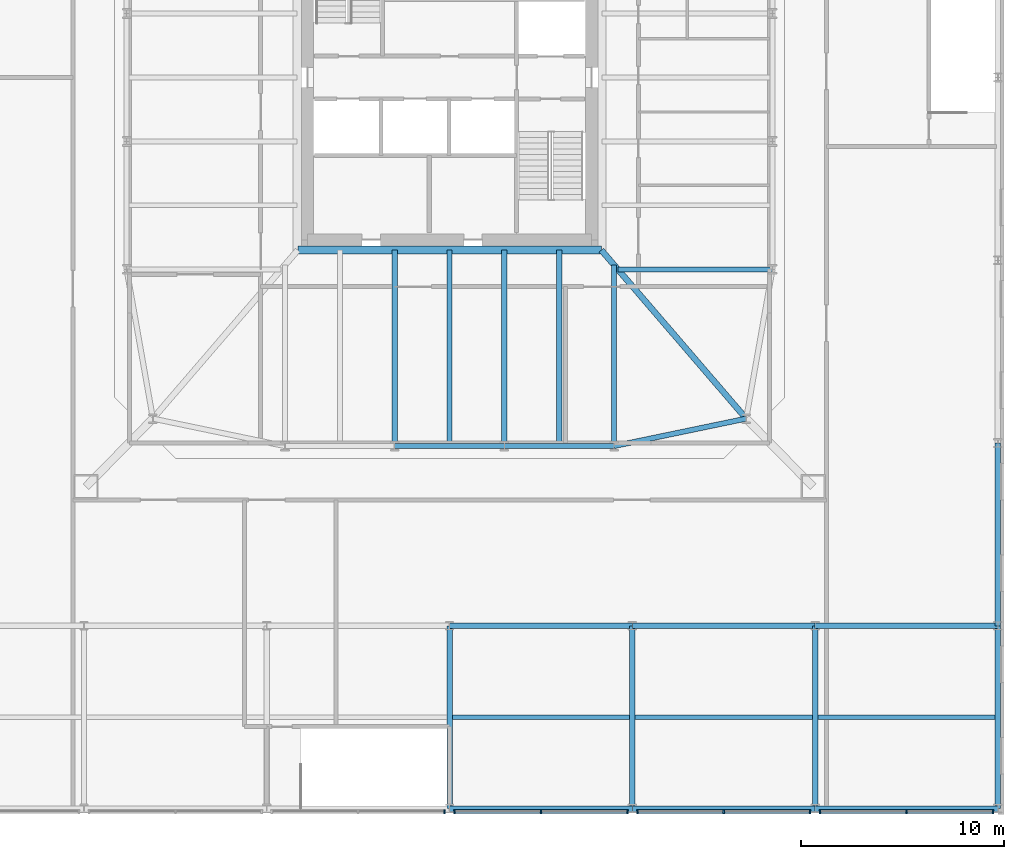
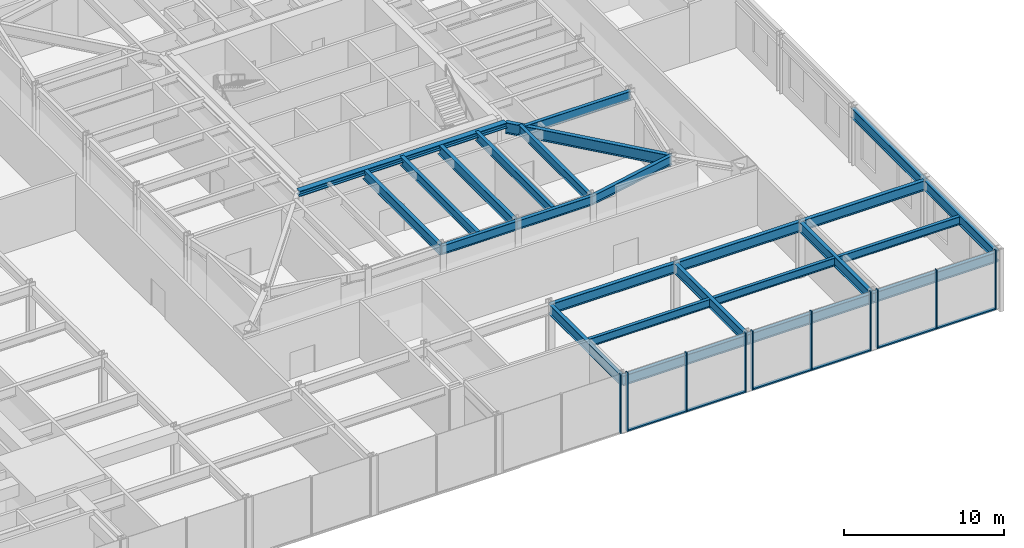
# One storey, part 12 of 30: 25 beams, 16 members, 4 elements without a shape of their own.
"""IFC4 building model written with IfcOpenShell, lengths in metres."""

from ifc_helpers import new_model, si_unit, direction, frame, origin, origin_2d, place, context, subcontext, project, spatial, rectangle, i_section, extrude, material, material_profile, profile_set, type_object, element, aggregate, save


model = new_model("IFC4")

# Units and contexts
model_context = context("Model", 3, precision=1e-05, world=origin(), true_north=direction((0.0, 1.0)))
body_context = subcontext(model_context, "Body", "Model", "MODEL_VIEW")
ifc_project = project(units=[si_unit("LENGTHUNIT", "METRE"), si_unit("AREAUNIT", "SQUARE_METRE"), si_unit("VOLUMEUNIT", "CUBIC_METRE"), si_unit("PLANEANGLEUNIT", "RADIAN"), si_unit("MASSUNIT", "GRAM", prefix="KILO")], contexts=[model_context])

# Site, building, storey
site_placement = place(None, origin())
site = spatial("IfcSite", under=ifc_project, at=site_placement, CompositionType="ELEMENT")
building_placement = place(site_placement, origin())
building = spatial("IfcBuilding", under=site, at=building_placement, Name="Iwan Alto Co-Living Towers", CompositionType="ELEMENT")
storey_placement = place(building_placement, frame((0.0, 0.0, 10.5)))
storey = spatial("IfcBuildingStorey", under=building, at=storey_placement, Name="L02", CompositionType="ELEMENT", Elevation=10.5)

# Curtain wall, member
ifc_material_1 = material(Name="Bronze aluminium stick frame", Category="aluminium")
curtain_wall_type = type_object("IfcCurtainWallType", Name="CURTAIN WALL CW-E", PredefinedType="NOTDEFINED", material=ifc_material_1)
curtain_wall_1_placement = place(storey_placement, origin())
curtain_wall_1 = element("IfcCurtainWall", 1, at=curtain_wall_1_placement, inside=storey, type_object=curtain_wall_type, Name="Podium curtain wall S L02", PredefinedType="NOTDEFINED")
ifc_material_2 = material(Name="Aluminium 6063-T6 bronze anodised", Category="aluminium")
ifc_material_profile_1 = material_profile(ifc_material_2, rectangle(XDim=0.199951171875, YDim=0.080078125, at=origin_2d()), Name="AL 80X200")
ifc_profile_set_1 = profile_set([ifc_material_profile_1], Name="Aluminium 6063-T6 bronze anodised")
member_type_1 = type_object("IfcMemberType", Name="CW-E MULLION 80X200", PredefinedType="MULLION", material=ifc_profile_set_1)
member_1_placement = place(storey_placement, frame((62.754150390625, -36.14990234375, 0.0), z_axis=(0.0, 0.0, 1.0), x_axis=(0.0, 1.0, 0.0)))
member_1 = element("IfcMember", 2, at=member_1_placement, type_object=member_type_1, Name="CW-E mullion 3", PredefinedType="MULLION", context=body_context, shape_type="SweptSolid", body=[
    extrude(rectangle(XDim=0.199951171875, YDim=0.080078125, at=origin_2d()), origin(), (0.0, 0.0, 1.0), 4.5),
])
aggregate(curtain_wall_1, [member_1])

# Curtain wall, members
curtain_wall_2_placement = place(storey_placement, origin())
curtain_wall_2 = element("IfcCurtainWall", 3, at=curtain_wall_2_placement, inside=storey, type_object=curtain_wall_type, Name="Podium curtain wall S L02", PredefinedType="NOTDEFINED")
member_2_placement = place(storey_placement, frame((63.245849609375, -36.14990234375, 0.0), z_axis=(0.0, 0.0, 1.0), x_axis=(0.0, 1.0, 0.0)))
member_2 = element("IfcMember", 4, at=member_2_placement, type_object=member_type_1, Name="CW-E mullion 1", PredefinedType="MULLION", context=body_context, shape_type="SweptSolid", body=[
    extrude(rectangle(XDim=0.199951171875, YDim=0.080078125, at=origin_2d()), origin(), (0.0, 0.0, 1.0), 4.5),
])
member_3_placement = place(storey_placement, frame((67.5, -36.14990234375, 0.0), z_axis=(0.0, 0.0, 1.0), x_axis=(0.0, 1.0, 0.0)))
member_3 = element("IfcMember", 5, at=member_3_placement, type_object=member_type_1, Name="CW-E mullion 2", PredefinedType="MULLION", context=body_context, shape_type="SweptSolid", body=[
    extrude(rectangle(XDim=0.199951171875, YDim=0.080078125, at=origin_2d()), origin(), (0.0, 0.0, 1.0), 4.5),
])
member_4_placement = place(storey_placement, frame((71.754150390625, -36.14990234375, 0.0), z_axis=(0.0, 0.0, 1.0), x_axis=(0.0, 1.0, 0.0)))
member_4 = element("IfcMember", 6, at=member_4_placement, type_object=member_type_1, Name="CW-E mullion 3", PredefinedType="MULLION", context=body_context, shape_type="SweptSolid", body=[
    extrude(rectangle(XDim=0.199951171875, YDim=0.080078125, at=origin_2d()), origin(), (0.0, 0.0, 1.0), 4.5),
])

curtain_wall_3_placement = place(storey_placement, origin())
curtain_wall_3 = element("IfcCurtainWall", 7, at=curtain_wall_3_placement, inside=storey, type_object=curtain_wall_type, Name="Podium curtain wall S L02", PredefinedType="NOTDEFINED")
member_5_placement = place(storey_placement, frame((72.245849609375, -36.14990234375, 0.0), z_axis=(0.0, 0.0, 1.0), x_axis=(0.0, 1.0, 0.0)))
member_5 = element("IfcMember", 8, at=member_5_placement, type_object=member_type_1, Name="CW-E mullion 1", PredefinedType="MULLION", context=body_context, shape_type="SweptSolid", body=[
    extrude(rectangle(XDim=0.199951171875, YDim=0.080078125, at=origin_2d()), origin(), (0.0, 0.0, 1.0), 4.5),
])
member_6_placement = place(storey_placement, frame((76.5, -36.14990234375, 0.0), z_axis=(0.0, 0.0, 1.0), x_axis=(0.0, 1.0, 0.0)))
member_6 = element("IfcMember", 9, at=member_6_placement, type_object=member_type_1, Name="CW-E mullion 2", PredefinedType="MULLION", context=body_context, shape_type="SweptSolid", body=[
    extrude(rectangle(XDim=0.199951171875, YDim=0.080078125, at=origin_2d()), origin(), (0.0, 0.0, 1.0), 4.5),
])
member_7_placement = place(storey_placement, frame((80.754150390625, -36.14990234375, 0.0), z_axis=(0.0, 0.0, 1.0), x_axis=(0.0, 1.0, 0.0)))
member_7 = element("IfcMember", 10, at=member_7_placement, type_object=member_type_1, Name="CW-E mullion 3", PredefinedType="MULLION", context=body_context, shape_type="SweptSolid", body=[
    extrude(rectangle(XDim=0.199951171875, YDim=0.080078125, at=origin_2d()), origin(), (0.0, 0.0, 1.0), 4.5),
])

curtain_wall_4_placement = place(storey_placement, origin())
curtain_wall_4 = element("IfcCurtainWall", 11, at=curtain_wall_4_placement, inside=storey, type_object=curtain_wall_type, Name="Podium curtain wall S L02", PredefinedType="NOTDEFINED")
member_8_placement = place(storey_placement, frame((81.245849609375, -36.14990234375, 0.0), z_axis=(0.0, 0.0, 1.0), x_axis=(0.0, 1.0, 0.0)))
member_8 = element("IfcMember", 12, at=member_8_placement, type_object=member_type_1, Name="CW-E mullion 1", PredefinedType="MULLION", context=body_context, shape_type="SweptSolid", body=[
    extrude(rectangle(XDim=0.199951171875, YDim=0.080078125, at=origin_2d()), origin(), (0.0, 0.0, 1.0), 4.5),
])
member_9_placement = place(storey_placement, frame((85.5, -36.14990234375, 0.0), z_axis=(0.0, 0.0, 1.0), x_axis=(0.0, 1.0, 0.0)))
member_9 = element("IfcMember", 13, at=member_9_placement, type_object=member_type_1, Name="CW-E mullion 2", PredefinedType="MULLION", context=body_context, shape_type="SweptSolid", body=[
    extrude(rectangle(XDim=0.199951171875, YDim=0.080078125, at=origin_2d()), origin(), (0.0, 0.0, 1.0), 4.5),
])
member_10_placement = place(storey_placement, frame((89.754150390625, -36.14990234375, 0.0), z_axis=(0.0, 0.0, 1.0), x_axis=(0.0, 1.0, 0.0)))
member_10 = element("IfcMember", 14, at=member_10_placement, type_object=member_type_1, Name="CW-E mullion 3", PredefinedType="MULLION", context=body_context, shape_type="SweptSolid", body=[
    extrude(rectangle(XDim=0.199951171875, YDim=0.080078125, at=origin_2d()), origin(), (0.0, 0.0, 1.0), 4.5),
])

# Member
ifc_material_3 = material(Name="Aluminium 6063-T6 bronze anodised", Category="aluminium")
ifc_material_profile_2 = material_profile(ifc_material_3, rectangle(XDim=0.199951171875, YDim=0.10009765625, at=origin_2d()), Name="AL 200X100")
ifc_profile_set_2 = profile_set([ifc_material_profile_2], Name="Aluminium 6063-T6 bronze anodised")
member_type_2 = type_object("IfcMemberType", Name="CW-E TRANSOM 200X100", PredefinedType="USERDEFINED", material=ifc_profile_set_2)
member_11_placement = place(storey_placement, frame((63.28564453125, -36.14990234375, 0.050048828125), z_axis=(1.0, 0.0, 0.0), x_axis=(0.0, 1.0, 0.0)))
member_11 = element("IfcMember", 15, at=member_11_placement, type_object=member_type_2, Name="CW-E transom 1.1", ObjectType="TRANSOM", PredefinedType="USERDEFINED", context=body_context, shape_type="SweptSolid", body=[
    extrude(rectangle(XDim=0.199951171875, YDim=0.10009765625, at=origin_2d()), origin(), (0.0, 0.0, 1.0), 4.17431640625),
])

member_12_placement = place(storey_placement, frame((67.5400390625, -36.14990234375, 0.050048828125), z_axis=(1.0, 0.0, 0.0), x_axis=(0.0, 1.0, 0.0)))
member_12 = element("IfcMember", 16, at=member_12_placement, type_object=member_type_2, Name="CW-E transom 2.1", ObjectType="TRANSOM", PredefinedType="USERDEFINED", context=body_context, shape_type="SweptSolid", body=[
    extrude(rectangle(XDim=0.199951171875, YDim=0.10009765625, at=origin_2d()), origin(), (0.0, 0.0, 1.0), 4.17431640625),
])

aggregate(curtain_wall_2, [member_2, member_3, member_4, member_11, member_12])

member_13_placement = place(storey_placement, frame((72.28564453125, -36.14990234375, 0.050048828125), z_axis=(1.0, 0.0, 0.0), x_axis=(0.0, 1.0, 0.0)))
member_13 = element("IfcMember", 17, at=member_13_placement, type_object=member_type_2, Name="CW-E transom 1.1", ObjectType="TRANSOM", PredefinedType="USERDEFINED", context=body_context, shape_type="SweptSolid", body=[
    extrude(rectangle(XDim=0.199951171875, YDim=0.10009765625, at=origin_2d()), origin(), (0.0, 0.0, 1.0), 4.17431640625),
])

member_14_placement = place(storey_placement, frame((76.5400390625, -36.14990234375, 0.050048828125), z_axis=(1.0, 0.0, 0.0), x_axis=(0.0, 1.0, 0.0)))
member_14 = element("IfcMember", 18, at=member_14_placement, type_object=member_type_2, Name="CW-E transom 2.1", ObjectType="TRANSOM", PredefinedType="USERDEFINED", context=body_context, shape_type="SweptSolid", body=[
    extrude(rectangle(XDim=0.199951171875, YDim=0.10009765625, at=origin_2d()), origin(), (0.0, 0.0, 1.0), 4.17431640625),
])

aggregate(curtain_wall_3, [member_5, member_6, member_7, member_13, member_14])

member_15_placement = place(storey_placement, frame((81.28564453125, -36.14990234375, 0.050048828125), z_axis=(1.0, 0.0, 0.0), x_axis=(0.0, 1.0, 0.0)))
member_15 = element("IfcMember", 19, at=member_15_placement, type_object=member_type_2, Name="CW-E transom 1.1", ObjectType="TRANSOM", PredefinedType="USERDEFINED", context=body_context, shape_type="SweptSolid", body=[
    extrude(rectangle(XDim=0.199951171875, YDim=0.10009765625, at=origin_2d()), origin(), (0.0, 0.0, 1.0), 4.17431640625),
])

member_16_placement = place(storey_placement, frame((85.5400390625, -36.14990234375, 0.050048828125), z_axis=(1.0, 0.0, 0.0), x_axis=(0.0, 1.0, 0.0)))
member_16 = element("IfcMember", 20, at=member_16_placement, type_object=member_type_2, Name="CW-E transom 2.1", ObjectType="TRANSOM", PredefinedType="USERDEFINED", context=body_context, shape_type="SweptSolid", body=[
    extrude(rectangle(XDim=0.199951171875, YDim=0.10009765625, at=origin_2d()), origin(), (0.0, 0.0, 1.0), 4.17431640625),
])

aggregate(curtain_wall_4, [member_8, member_9, member_10, member_15, member_16])

# Beams
ifc_material_4 = material(Name="Steel ASTM A992 Gr 50", Category="steel")
ifc_material_profile_3 = material_profile(ifc_material_4, i_section(OverallWidth=0.2666015625, OverallDepth=0.76953125, WebThickness=0.015625, FlangeThickness=0.025390625, at=origin_2d()), Name="W30X132")
ifc_profile_set_3 = profile_set([ifc_material_profile_3], Name="Steel ASTM A992 Gr 50")
beam_type_1 = type_object("IfcBeamType", Name="PODIUM BEAM W30X132", PredefinedType="BEAM", material=ifc_profile_set_3)
for number, where, z_axis, x_axis, name in (
    (21, (63.0, -36.0, 3.865234375), (1.0, 0.0, 0.0), (0.0, 1.0, 0.0), "Podium beam 12/A-13/A L03"),
    (22, (63.0, -36.0, 3.865234375), (0.0, 1.0, 0.0), (-1.0, 0.0, 0.0), "Podium beam 12/A-12/B L03"),
    (23, (63.0, -27.0, 3.865234375), (1.0, 0.0, 0.0), (0.0, 1.0, 0.0), "Podium beam 12/B-13/B L03"),
    (24, (72.0, -36.0, 3.865234375), (1.0, 0.0, 0.0), (0.0, 1.0, 0.0), "Podium beam 13/A-14/A L03"),
    (25, (72.0, -36.0, 3.865234375), (0.0, 1.0, 0.0), (-1.0, 0.0, 0.0), "Podium beam 13/A-13/B L03"),
    (26, (72.0, -27.0, 3.865234375), (1.0, 0.0, 0.0), (0.0, 1.0, 0.0), "Podium beam 13/B-14/B L03"),
    (27, (81.0, -36.0, 3.865234375), (1.0, 0.0, 0.0), (0.0, 1.0, 0.0), "Podium beam 14/A-15/A L03"),
    (28, (81.0, -36.0, 3.865234375), (0.0, 1.0, 0.0), (-1.0, 0.0, 0.0), "Podium beam 14/A-14/B L03"),
    (29, (81.0, -27.0, 3.865234375), (1.0, 0.0, 0.0), (0.0, 1.0, 0.0), "Podium beam 14/B-15/B L03"),
    (30, (90.0, -36.0, 3.865234375), (0.0, 1.0, 0.0), (-1.0, 0.0, 0.0), "Podium beam 15/A-15/B L03"),
    (31, (90.0, -27.0, 3.865234375), (0.0, 1.0, 0.0), (-1.0, 0.0, 0.0), "Podium beam 15/B-15/C L03"),
):
    element("IfcBeam", number, at=place(storey_placement, frame(where, z_axis=z_axis, x_axis=x_axis)), inside=storey, type_object=beam_type_1, Name=name, PredefinedType="BEAM", context=body_context, shape_type="SweptSolid", body=[
        extrude(i_section(OverallWidth=0.2666015625, OverallDepth=0.76953125, WebThickness=0.015625, FlangeThickness=0.025390625, at=origin_2d()), origin(), (0.0, 0.0, 1.0), 9.0),
    ])
ifc_material_5 = material(Name="Steel ASTM A992 Gr 50", Category="steel")
ifc_material_profile_4 = material_profile(ifc_material_5, i_section(OverallWidth=0.23046875, OverallDepth=0.6171875, WebThickness=0.01318359375, FlangeThickness=0.022216796875, at=origin_2d()), Name="W24X94")
ifc_profile_set_4 = profile_set([ifc_material_profile_4], Name="Steel ASTM A992 Gr 50")
beam_type_2 = type_object("IfcBeamType", Name="PODIUM SECONDARY BEAM W24X94", PredefinedType="JOIST", material=ifc_profile_set_4)
for number, where, z_axis, x_axis, name in (
    (32, (63.13330078125, -31.5, 3.94140625), (1.0, 0.0, 0.0), (0.0, 1.0, 0.0), "Podium secondary beam 12/A L03"),
    (33, (72.13330078125, -31.5, 3.94140625), (1.0, 0.0, 0.0), (0.0, 1.0, 0.0), "Podium secondary beam 13/A L03"),
    (34, (81.13330078125, -31.5, 3.94140625), (1.0, 0.0, 0.0), (0.0, 1.0, 0.0), "Podium secondary beam 14/A L03"),
):
    element("IfcBeam", number, at=place(storey_placement, frame(where, z_axis=z_axis, x_axis=x_axis)), inside=storey, type_object=beam_type_2, Name=name, PredefinedType="JOIST", context=body_context, shape_type="SweptSolid", body=[
        extrude(i_section(OverallWidth=0.23046875, OverallDepth=0.6171875, WebThickness=0.01318359375, FlangeThickness=0.022216796875, at=origin_2d()), origin(), (0.0, 0.0, 1.0), 8.7333984375),
    ])
ifc_material_6 = material(Name="Steel ASTM A992 Gr 50", Category="steel")
ifc_material_profile_5 = material_profile(ifc_material_6, i_section(OverallWidth=0.40380859375, OverallDepth=0.406494140625, WebThickness=0.027099609375, FlangeThickness=0.043701171875, at=origin_2d()), Name="W14X233")
ifc_profile_set_5 = profile_set([ifc_material_profile_5], Name="Steel ASTM A992 Gr 50")
beam_type_3 = type_object("IfcBeamType", Name="T2 CORE LEDGER BEAM W14X233", PredefinedType="BEAM", material=ifc_profile_set_5)
beam_1_placement = place(storey_placement, frame((55.5263671875, -8.501953125, 4.06689453125), z_axis=(1.0, 0.0, 0.0), x_axis=(0.0, 1.0, 0.0)))
element("IfcBeam", 35, at=beam_1_placement, inside=storey, type_object=beam_type_3, Name="T2 core ledger beam S L03", PredefinedType="BEAM", context=body_context, shape_type="SweptSolid", body=[
    extrude(i_section(OverallWidth=0.40380859375, OverallDepth=0.406494140625, WebThickness=0.027099609375, FlangeThickness=0.043701171875, at=origin_2d()), origin(), (0.0, 0.0, 1.0), 14.947265625),
])
ifc_material_7 = material(Name="Steel ASTM A992 Gr 50", Category="steel")
ifc_material_profile_6 = material_profile(ifc_material_7, i_section(OverallWidth=0.2919921875, OverallDepth=0.8408203125, WebThickness=0.0146484375, FlangeThickness=0.021728515625, at=origin_2d()), Name="W33X130")
ifc_profile_set_6 = profile_set([ifc_material_profile_6], Name="Steel ASTM A992 Gr 50")
beam_type_4 = type_object("IfcBeamType", Name="T2 CORNER GIRDER W33X130", PredefinedType="BEAM", material=ifc_profile_set_6)
beam_2_placement = place(storey_placement, frame((77.606201171875, -16.797119140625, 3.849609375), z_axis=(-0.651972301827, 0.758242782788, 0.0), x_axis=(-0.758242782788, -0.651972301827, 0.0)))
element("IfcBeam", 36, at=beam_2_placement, inside=storey, type_object=beam_type_4, Name="T2 corner girder CSE L03", PredefinedType="BEAM", context=body_context, shape_type="SweptSolid", body=[
    extrude(i_section(OverallWidth=0.2919921875, OverallDepth=0.8408203125, WebThickness=0.0146484375, FlangeThickness=0.021728515625, at=origin_2d()), origin(), (0.0, 0.0, 1.0), 10.93994140625),
])
ifc_material_8 = material(Name="Steel ASTM A992 Gr 50", Category="steel")
ifc_material_profile_7 = material_profile(ifc_material_8, i_section(OverallWidth=0.25390625, OverallDepth=0.683349609375, WebThickness=0.012451171875, FlangeThickness=0.018798828125, at=origin_2d()), Name="W27X94")
ifc_profile_set_7 = profile_set([ifc_material_profile_7], Name="Steel ASTM A992 Gr 50")
beam_type_5 = type_object("IfcBeamType", Name="T2 EDGE BEAM W27X94", PredefinedType="BEAM", material=ifc_profile_set_7)
beam_3_placement = place(storey_placement, frame((60.300048828125, -18.14990234375, 3.928466796875), z_axis=(1.0, 0.0, 0.0), x_axis=(0.0, 1.0, 0.0)))
element("IfcBeam", 37, at=beam_3_placement, inside=storey, type_object=beam_type_5, Name="T2 edge beam S2 L03", PredefinedType="BEAM", context=body_context, shape_type="SweptSolid", body=[
    extrude(i_section(OverallWidth=0.25390625, OverallDepth=0.683349609375, WebThickness=0.012451171875, FlangeThickness=0.018798828125, at=origin_2d()), origin(), (0.0, 0.0, 1.0), 5.39990234375),
])
beam_4_placement = place(storey_placement, frame((65.699951171875, -18.14990234375, 3.928466796875), z_axis=(1.0, 0.0, 0.0), x_axis=(0.0, 1.0, 0.0)))
element("IfcBeam", 38, at=beam_4_placement, inside=storey, type_object=beam_type_5, Name="T2 edge beam S3 L03", PredefinedType="BEAM", context=body_context, shape_type="SweptSolid", body=[
    extrude(i_section(OverallWidth=0.25390625, OverallDepth=0.683349609375, WebThickness=0.012451171875, FlangeThickness=0.018798828125, at=origin_2d()), origin(), (0.0, 0.0, 1.0), 5.400146484375),
])
beam_5_placement = place(storey_placement, frame((71.10009765625, -18.14990234375, 3.928466796875), z_axis=(0.979060119423, 0.203571320564, 0.0), x_axis=(-0.203571320564, 0.979060119423, 0.0)))
element("IfcBeam", 39, at=beam_5_placement, inside=storey, type_object=beam_type_5, Name="T2 edge beam S4 L03", PredefinedType="BEAM", context=body_context, shape_type="SweptSolid", body=[
    extrude(i_section(OverallWidth=0.25390625, OverallDepth=0.683349609375, WebThickness=0.012451171875, FlangeThickness=0.018798828125, at=origin_2d()), origin(), (0.0, 0.0, 1.0), 6.645263671875),
])
ifc_material_9 = material(Name="Steel ASTM A992 Gr 50", Category="steel")
ifc_material_profile_8 = material_profile(ifc_material_9, i_section(OverallWidth=0.25390625, OverallDepth=0.683349609375, WebThickness=0.012451171875, FlangeThickness=0.018798828125, at=origin_2d()), Name="W27X94")
ifc_profile_set_8 = profile_set([ifc_material_profile_8], Name="Steel ASTM A992 Gr 50")
beam_type_6 = type_object("IfcBeamType", Name="T2 RADIAL BEAM W27X94", PredefinedType="BEAM", material=ifc_profile_set_8)
beam_6_placement = place(storey_placement, frame((71.10009765625, -18.14990234375, 3.928466796875), z_axis=(0.0, 1.0, 0.0), x_axis=(-1.0, 0.0, 0.0)))
element("IfcBeam", 40, at=beam_6_placement, inside=storey, type_object=beam_type_6, Name="T2 radial beam S4 L03", PredefinedType="BEAM", context=body_context, shape_type="SweptSolid", body=[
    extrude(i_section(OverallWidth=0.25390625, OverallDepth=0.683349609375, WebThickness=0.012451171875, FlangeThickness=0.018798828125, at=origin_2d()), origin(), (0.0, 0.0, 1.0), 8.91943359375),
])
beam_7_placement = place(storey_placement, frame((78.89990234375, -9.449951171875, 3.928466796875), z_axis=(-1.0, 0.0, 0.0), x_axis=(0.0, -1.0, 0.0)))
element("IfcBeam", 41, at=beam_7_placement, inside=storey, type_object=beam_type_6, Name="T2 radial beam E1 L03", PredefinedType="BEAM", context=body_context, shape_type="SweptSolid", body=[
    extrude(i_section(OverallWidth=0.25390625, OverallDepth=0.683349609375, WebThickness=0.012451171875, FlangeThickness=0.018798828125, at=origin_2d()), origin(), (0.0, 0.0, 1.0), 7.611083984375),
])
ifc_material_10 = material(Name="Steel ASTM A992 Gr 50", Category="steel")
ifc_material_profile_9 = material_profile(ifc_material_10, i_section(OverallWidth=0.2666015625, OverallDepth=0.761962890625, WebThickness=0.014404296875, FlangeThickness=0.021484375, at=origin_2d()), Name="W30X116")
ifc_profile_set_9 = profile_set([ifc_material_profile_9], Name="Steel ASTM A992 Gr 50")
beam_type_7 = type_object("IfcBeamType", Name="T2 RADIAL BEAM W30X116", PredefinedType="BEAM", material=ifc_profile_set_9)
for number, where, z_axis, x_axis, name in (
    (42, (60.300048828125, -18.14990234375, 3.888916015625), (0.0, 1.0, 0.0), (-1.0, 0.0, 0.0), "T2 radial beam S2 L03"),
    (43, (65.699951171875, -18.14990234375, 3.888916015625), (0.0, 1.0, 0.0), (-1.0, 0.0, 0.0), "T2 radial beam S3 L03"),
):
    element("IfcBeam", number, at=place(storey_placement, frame(where, z_axis=z_axis, x_axis=x_axis)), inside=storey, type_object=beam_type_7, Name=name, PredefinedType="BEAM", context=body_context, shape_type="SweptSolid", body=[
        extrude(i_section(OverallWidth=0.2666015625, OverallDepth=0.761962890625, WebThickness=0.014404296875, FlangeThickness=0.021484375, at=origin_2d()), origin(), (0.0, 0.0, 1.0), 9.64794921875),
    ])
ifc_material_11 = material(Name="Steel ASTM A992 Gr 50", Category="steel")
ifc_material_profile_10 = material_profile(ifc_material_11, i_section(OverallWidth=0.25390625, OverallDepth=0.683349609375, WebThickness=0.012451171875, FlangeThickness=0.018798828125, at=origin_2d()), Name="W27X94")
ifc_profile_set_10 = profile_set([ifc_material_profile_10], Name="Steel ASTM A992 Gr 50")
beam_type_8 = type_object("IfcBeamType", Name="T2 SECONDARY BEAM W27X94", PredefinedType="JOIST", material=ifc_profile_set_10)
for number, where, z_axis, x_axis, name in (
    (44, (63.0, -18.14990234375, 3.928466796875), (0.0, 1.0, 0.0), (-1.0, 0.0, 0.0), "T2 secondary beam S2 L03"),
    (45, (68.39990234375, -18.14990234375, 3.928466796875), (0.0, 1.0, 0.0), (-1.0, 0.0, 0.0), "T2 secondary beam S3 L03"),
):
    element("IfcBeam", number, at=place(storey_placement, frame(where, z_axis=z_axis, x_axis=x_axis)), inside=storey, type_object=beam_type_8, Name=name, PredefinedType="JOIST", context=body_context, shape_type="SweptSolid", body=[
        extrude(i_section(OverallWidth=0.25390625, OverallDepth=0.683349609375, WebThickness=0.012451171875, FlangeThickness=0.018798828125, at=origin_2d()), origin(), (0.0, 0.0, 1.0), 9.64794921875),
    ])

save(model, "model.ifc")
